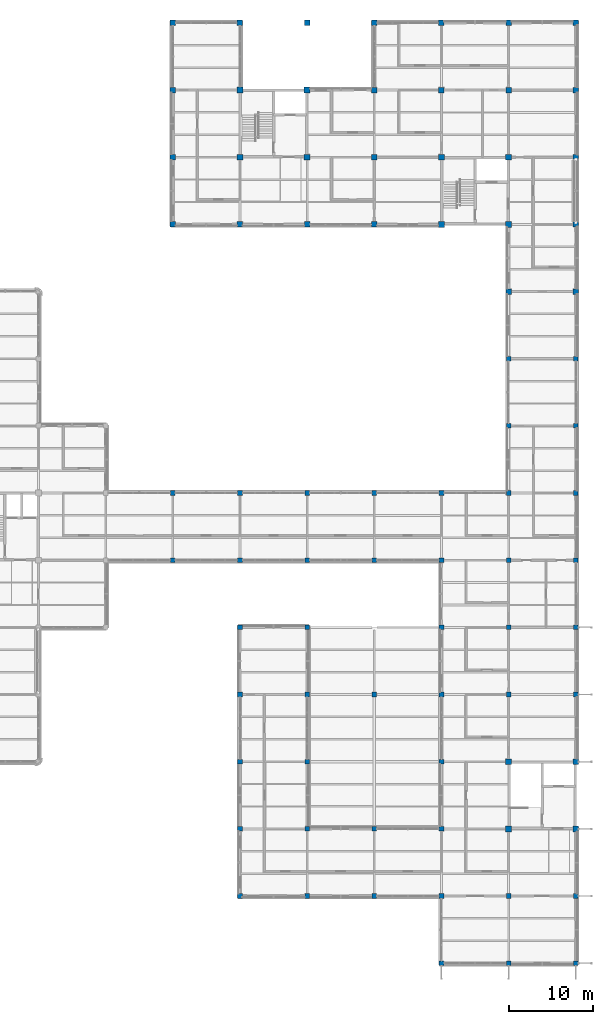
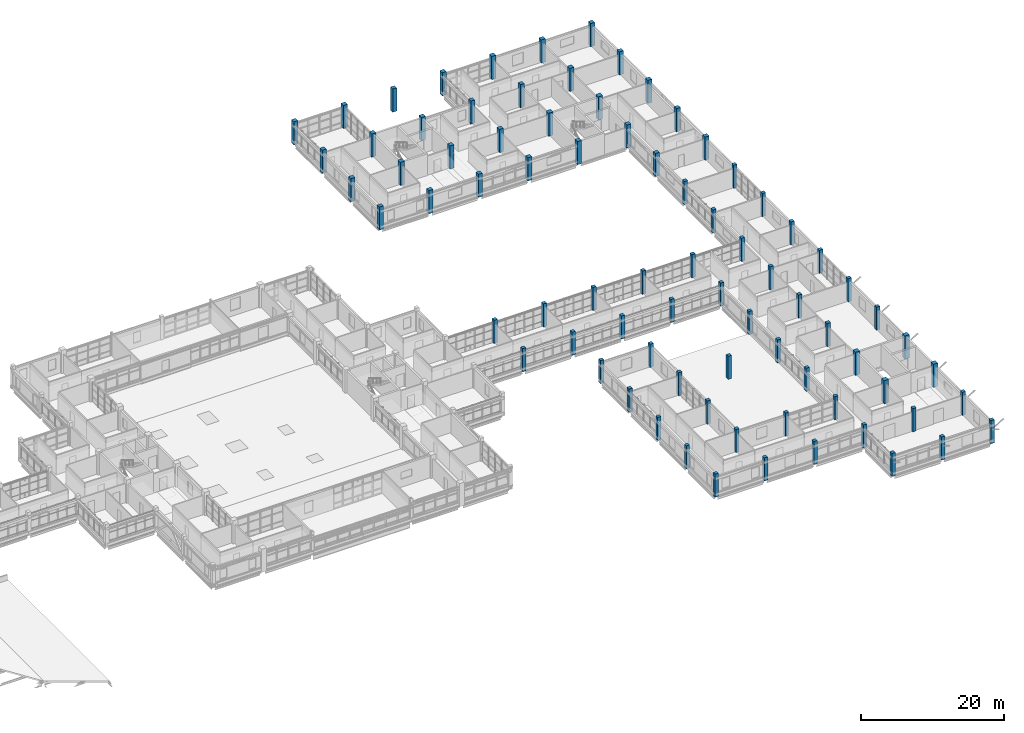
# One storey, part 5 of 107: 79 columns.
"""IFC4 building model written with IfcOpenShell, lengths in metres."""

from ifc_helpers import new_model, si_unit, derived_unit, direction, frame, origin, origin_2d, place, context, subcontext, project, spatial, rectangle, extrude, material, material_profile, profile_set, type_object, element, save


model = new_model("IFC4")

# Units and contexts
model_context = context("Model", 3, precision=1e-05, world=origin(), true_north=direction((0.0, 1.0)))
body_context = subcontext(model_context, "Body", "Model", "MODEL_VIEW")
ifc_project = project(units=[si_unit("LENGTHUNIT", "METRE"), si_unit("AREAUNIT", "SQUARE_METRE"), si_unit("VOLUMEUNIT", "CUBIC_METRE"), si_unit("PLANEANGLEUNIT", "RADIAN"), si_unit("MASSUNIT", "GRAM", prefix="KILO"), derived_unit("THERMALTRANSMITTANCEUNIT", [(si_unit("MASSUNIT", "GRAM", prefix="KILO"), 1), (si_unit("TIMEUNIT", "SECOND"), -3), (si_unit("THERMODYNAMICTEMPERATUREUNIT", "KELVIN"), -1)])], contexts=[model_context])

# Site, building, storey
site_placement = place(None, origin())
site = spatial("IfcSite", under=ifc_project, at=site_placement, CompositionType="ELEMENT")
building_placement = place(site_placement, origin())
building = spatial("IfcBuilding", under=site, at=building_placement, Name="Veyamyaing Civic Hall", CompositionType="ELEMENT")
storey_placement = place(building_placement, frame((0.0, 0.0, 13.860107421875)))
storey = spatial("IfcBuildingStorey", under=building, at=storey_placement, Name="L03", CompositionType="ELEMENT", Elevation=13.860107421875)

# Columns
ifc_material = material(Name="Concrete C45/55", Category="concrete")
ifc_material_profile_1 = material_profile(ifc_material, rectangle(XDim=0.699951171875, YDim=0.699951171875, at=origin_2d()), Name="RC-COL-700X700")
ifc_profile_set_1 = profile_set([ifc_material_profile_1], Name="Concrete C45/55")
column_type_1 = type_object("IfcColumnType", Name="C-04", PredefinedType="COLUMN", material=ifc_profile_set_1)
for number, where, z_axis, x_axis, name in (
    (1, (136.0, 96.0, 0.0), (0.0, 0.0, 1.0), (1.0, 0.0, 0.0), "Column C-04 18-N L03"),
    (2, (136.0, 104.0, 0.0), (0.0, 0.0, 1.0), (1.0, 0.0, 0.0), "Column C-04 18-P L03"),
    (3, (144.0, 96.0, 0.0), (0.0, 0.0, 1.0), (1.0, 0.0, 0.0), "Column C-04 19-N L03"),
    (4, (144.0, 104.0, 0.0), (0.0, 0.0, 1.0), (1.0, 0.0, 0.0), "Column C-04 19-P L03"),
    (5, (160.0, 88.0, 0.0), (0.0, 0.0, 1.0), (1.0, 0.0, 0.0), "Column C-04 21-M L03"),
    (6, (160.0, 96.0, 0.0), (0.0, 0.0, 1.0), (1.0, 0.0, 0.0), "Column C-04 21-N L03"),
    (7, (168.0, 16.0, 0.0), (0.0, 0.0, 1.0), (1.0, 0.0, 0.0), "Column C-04 22-C L03"),
    (8, (168.0, 24.0, 0.0), (0.0, 0.0, 1.0), (1.0, 0.0, 0.0), "Column C-04 22-D L03"),
    (9, (168.0, 88.0, 0.0), (0.0, 0.0, 1.0), (1.0, 0.0, 0.0), "Column C-04 22-M L03"),
    (10, (168.0, 96.0, 0.0), (0.0, 0.0, 1.0), (1.0, 0.0, 0.0), "Column C-04 22-N L03"),
    (11, (176.0, 16.0, 0.0), (0.0, 0.0, 1.0), (1.0, 0.0, 0.0), "Column C-04 23-C L03"),
    (12, (176.0, 24.0, 0.0), (0.0, 0.0, 1.0), (1.0, 0.0, 0.0), "Column C-04 23-D L03"),
):
    element("IfcColumn", number, at=place(storey_placement, frame(where, z_axis=z_axis, x_axis=x_axis)), inside=storey, type_object=column_type_1, Name=name, PredefinedType="COLUMN", context=body_context, shape_type="SweptSolid", body=[
        extrude(rectangle(XDim=0.699951171875, YDim=0.699951171875, at=origin_2d()), origin(), (0.0, 0.0, 1.0), 3.9599609375),
    ])
ifc_material_profile_2 = material_profile(ifc_material, rectangle(XDim=0.64990234375, YDim=0.64990234375, at=origin_2d()), Name="RC-COL-650X650")
ifc_profile_set_2 = profile_set([ifc_material_profile_2], Name="Concrete C45/55")
column_type_2 = type_object("IfcColumnType", Name="C-05", PredefinedType="COLUMN", material=ifc_profile_set_2)
for number, where, z_axis, x_axis, name in (
    (13, (128.0, 88.0, 0.0), (0.0, 0.0, 1.0), (1.0, 0.0, 0.0), "Column C-05 17-M L03"),
    (14, (128.0, 96.0, 0.0), (0.0, 0.0, 1.0), (1.0, 0.0, 0.0), "Column C-05 17-N L03"),
    (15, (128.0, 104.0, 0.0), (0.0, 0.0, 1.0), (1.0, 0.0, 0.0), "Column C-05 17-P L03"),
    (16, (128.0, 112.0, 0.0), (0.0, 0.0, 1.0), (1.0, 0.0, 0.0), "Column C-05 17-Q L03"),
    (17, (136.0, 88.0, 0.0), (0.0, 0.0, 1.0), (1.0, 0.0, 0.0), "Column C-05 18-M L03"),
    (18, (136.0, 112.0, 0.0), (0.0, 0.0, 1.0), (1.0, 0.0, 0.0), "Column C-05 18-Q L03"),
    (19, (144.0, 88.0, 0.0), (0.0, 0.0, 1.0), (1.0, 0.0, 0.0), "Column C-05 19-M L03"),
    (20, (144.0, 112.0, 0.0), (0.0, 0.0, 1.0), (1.0, 0.0, 0.0), "Column C-05 19-Q L03"),
    (21, (152.0, 88.0, 0.0), (0.0, 0.0, 1.0), (1.0, 0.0, 0.0), "Column C-05 20-M L03"),
    (22, (152.0, 96.0, 0.0), (0.0, 0.0, 1.0), (1.0, 0.0, 0.0), "Column C-05 20-N L03"),
    (23, (152.0, 104.0, 0.0), (0.0, 0.0, 1.0), (1.0, 0.0, 0.0), "Column C-05 20-P L03"),
    (24, (152.0, 112.0, 0.0), (0.0, 0.0, 1.0), (1.0, 0.0, 0.0), "Column C-05 20-Q L03"),
    (25, (160.0, 104.0, 0.0), (0.0, 0.0, 1.0), (1.0, 0.0, 0.0), "Column C-05 21-P L03"),
    (26, (160.0, 112.0, 0.0), (0.0, 0.0, 1.0), (1.0, 0.0, 0.0), "Column C-05 21-Q L03"),
    (27, (168.0, 80.0, 0.0), (0.0, 0.0, 1.0), (1.0, 0.0, 0.0), "Column C-05 22-L L03"),
    (28, (168.0, 104.0, 0.0), (0.0, 0.0, 1.0), (1.0, 0.0, 0.0), "Column C-05 22-P L03"),
    (29, (168.0, 112.0, 0.0), (0.0, 0.0, 1.0), (1.0, 0.0, 0.0), "Column C-05 22-Q L03"),
    (30, (176.0, 80.0, 0.0), (0.0, 0.0, 1.0), (1.0, 0.0, 0.0), "Column C-05 23-L L03"),
    (31, (176.0, 88.0, 0.0), (0.0, 0.0, 1.0), (1.0, 0.0, 0.0), "Column C-05 23-M L03"),
    (32, (176.0, 96.0, 0.0), (0.0, 0.0, 1.0), (1.0, 0.0, 0.0), "Column C-05 23-N L03"),
    (33, (176.0, 104.0, 0.0), (0.0, 0.0, 1.0), (1.0, 0.0, 0.0), "Column C-05 23-P L03"),
    (34, (176.0, 112.0, 0.0), (0.0, 0.0, 1.0), (1.0, 0.0, 0.0), "Column C-05 23-Q L03"),
):
    element("IfcColumn", number, at=place(storey_placement, frame(where, z_axis=z_axis, x_axis=x_axis)), inside=storey, type_object=column_type_2, Name=name, PredefinedType="COLUMN", context=body_context, shape_type="SweptSolid", body=[
        extrude(rectangle(XDim=0.64990234375, YDim=0.64990234375, at=origin_2d()), origin(), (0.0, 0.0, 1.0), 3.9599609375),
    ])
ifc_material_profile_3 = material_profile(ifc_material, rectangle(XDim=0.550048828125, YDim=0.550048828125, at=origin_2d()), Name="RC-COL-550X550")
ifc_profile_set_3 = profile_set([ifc_material_profile_3], Name="Concrete C45/55")
column_type_3 = type_object("IfcColumnType", Name="C-07", PredefinedType="COLUMN", material=ifc_profile_set_3)
for number, where, z_axis, x_axis, name in (
    (35, (128.0, 48.0, 0.0), (0.0, 0.0, 1.0), (1.0, 0.0, 0.0), "Column C-07 17-G L03"),
    (36, (128.0, 56.0, 0.0), (0.0, 0.0, 1.0), (1.0, 0.0, 0.0), "Column C-07 17-H L03"),
    (37, (136.0, 8.0, 0.0), (0.0, 0.0, 1.0), (1.0, 0.0, 0.0), "Column C-07 18-B L03"),
    (38, (136.0, 16.0, 0.0), (0.0, 0.0, 1.0), (1.0, 0.0, 0.0), "Column C-07 18-C L03"),
    (39, (136.0, 24.0, 0.0), (0.0, 0.0, 1.0), (1.0, 0.0, 0.0), "Column C-07 18-D L03"),
    (40, (136.0, 32.0, 0.0), (0.0, 0.0, 1.0), (1.0, 0.0, 0.0), "Column C-07 18-E L03"),
    (41, (136.0, 40.0, 0.0), (0.0, 0.0, 1.0), (1.0, 0.0, 0.0), "Column C-07 18-F L03"),
    (42, (136.0, 48.0, 0.0), (0.0, 0.0, 1.0), (1.0, 0.0, 0.0), "Column C-07 18-G L03"),
    (43, (136.0, 56.0, 0.0), (0.0, 0.0, 1.0), (1.0, 0.0, 0.0), "Column C-07 18-H L03"),
    (44, (144.0, 8.0, 0.0), (0.0, 0.0, 1.0), (1.0, 0.0, 0.0), "Column C-07 19-B L03"),
    (45, (144.0, 16.0, 0.0), (0.0, 0.0, 1.0), (1.0, 0.0, 0.0), "Column C-07 19-C L03"),
    (46, (144.0, 24.0, 0.0), (0.0, 0.0, 1.0), (1.0, 0.0, 0.0), "Column C-07 19-D L03"),
    (47, (144.0, 32.0, 0.0), (0.0, 0.0, 1.0), (1.0, 0.0, 0.0), "Column C-07 19-E L03"),
    (48, (144.0, 40.0, 0.0), (0.0, 0.0, 1.0), (1.0, 0.0, 0.0), "Column C-07 19-F L03"),
    (49, (144.0, 48.0, 0.0), (0.0, 0.0, 1.0), (1.0, 0.0, 0.0), "Column C-07 19-G L03"),
    (50, (144.0, 56.0, 0.0), (0.0, 0.0, 1.0), (1.0, 0.0, 0.0), "Column C-07 19-H L03"),
    (51, (152.0, 8.0, 0.0), (0.0, 0.0, 1.0), (1.0, 0.0, 0.0), "Column C-07 20-B L03"),
    (52, (152.0, 16.0, 0.0), (0.0, 0.0, 1.0), (1.0, 0.0, 0.0), "Column C-07 20-C L03"),
    (53, (152.0, 32.0, 0.0), (0.0, 0.0, 1.0), (1.0, 0.0, 0.0), "Column C-07 20-E L03"),
    (54, (152.0, 48.0, 0.0), (0.0, 0.0, 1.0), (1.0, 0.0, 0.0), "Column C-07 20-G L03"),
    (55, (152.0, 56.0, 0.0), (0.0, 0.0, 1.0), (1.0, 0.0, 0.0), "Column C-07 20-H L03"),
    (56, (160.0, 0.0, 0.0), (0.0, 0.0, 1.0), (1.0, 0.0, 0.0), "Column C-07 21-A L03"),
    (57, (160.0, 8.0, 0.0), (0.0, 0.0, 1.0), (1.0, 0.0, 0.0), "Column C-07 21-B L03"),
    (58, (160.0, 16.0, 0.0), (0.0, 0.0, 1.0), (1.0, 0.0, 0.0), "Column C-07 21-C L03"),
    (59, (160.0, 24.0, 0.0), (0.0, 0.0, 1.0), (1.0, 0.0, 0.0), "Column C-07 21-D L03"),
    (60, (160.0, 32.0, 0.0), (0.0, 0.0, 1.0), (1.0, 0.0, 0.0), "Column C-07 21-E L03"),
    (61, (160.0, 40.0, 0.0), (0.0, 0.0, 1.0), (1.0, 0.0, 0.0), "Column C-07 21-F L03"),
    (62, (160.0, 48.0, 0.0), (0.0, 0.0, 1.0), (1.0, 0.0, 0.0), "Column C-07 21-G L03"),
    (63, (160.0, 56.0, 0.0), (0.0, 0.0, 1.0), (1.0, 0.0, 0.0), "Column C-07 21-H L03"),
    (64, (168.0, 0.0, 0.0), (0.0, 0.0, 1.0), (1.0, 0.0, 0.0), "Column C-07 22-A L03"),
    (65, (168.0, 8.0, 0.0), (0.0, 0.0, 1.0), (1.0, 0.0, 0.0), "Column C-07 22-B L03"),
    (66, (168.0, 32.0, 0.0), (0.0, 0.0, 1.0), (1.0, 0.0, 0.0), "Column C-07 22-E L03"),
    (67, (168.0, 40.0, 0.0), (0.0, 0.0, 1.0), (1.0, 0.0, 0.0), "Column C-07 22-F L03"),
    (68, (168.0, 48.0, 0.0), (0.0, 0.0, 1.0), (1.0, 0.0, 0.0), "Column C-07 22-G L03"),
    (69, (168.0, 56.0, 0.0), (0.0, 0.0, 1.0), (1.0, 0.0, 0.0), "Column C-07 22-H L03"),
    (70, (168.0, 64.0, 0.0), (0.0, 0.0, 1.0), (1.0, 0.0, 0.0), "Column C-07 22-J L03"),
    (71, (168.0, 72.0, 0.0), (0.0, 0.0, 1.0), (1.0, 0.0, 0.0), "Column C-07 22-K L03"),
    (72, (176.0, 0.0, 0.0), (0.0, 0.0, 1.0), (1.0, 0.0, 0.0), "Column C-07 23-A L03"),
    (73, (176.0, 8.0, 0.0), (0.0, 0.0, 1.0), (1.0, 0.0, 0.0), "Column C-07 23-B L03"),
    (74, (176.0, 32.0, 0.0), (0.0, 0.0, 1.0), (1.0, 0.0, 0.0), "Column C-07 23-E L03"),
    (75, (176.0, 40.0, 0.0), (0.0, 0.0, 1.0), (1.0, 0.0, 0.0), "Column C-07 23-F L03"),
    (76, (176.0, 48.0, 0.0), (0.0, 0.0, 1.0), (1.0, 0.0, 0.0), "Column C-07 23-G L03"),
    (77, (176.0, 56.0, 0.0), (0.0, 0.0, 1.0), (1.0, 0.0, 0.0), "Column C-07 23-H L03"),
    (78, (176.0, 64.0, 0.0), (0.0, 0.0, 1.0), (1.0, 0.0, 0.0), "Column C-07 23-J L03"),
    (79, (176.0, 72.0, 0.0), (0.0, 0.0, 1.0), (1.0, 0.0, 0.0), "Column C-07 23-K L03"),
):
    element("IfcColumn", number, at=place(storey_placement, frame(where, z_axis=z_axis, x_axis=x_axis)), inside=storey, type_object=column_type_3, Name=name, PredefinedType="COLUMN", context=body_context, shape_type="SweptSolid", body=[
        extrude(rectangle(XDim=0.550048828125, YDim=0.550048828125, at=origin_2d()), origin(), (0.0, 0.0, 1.0), 3.9599609375),
    ])

save(model, "model.ifc")
